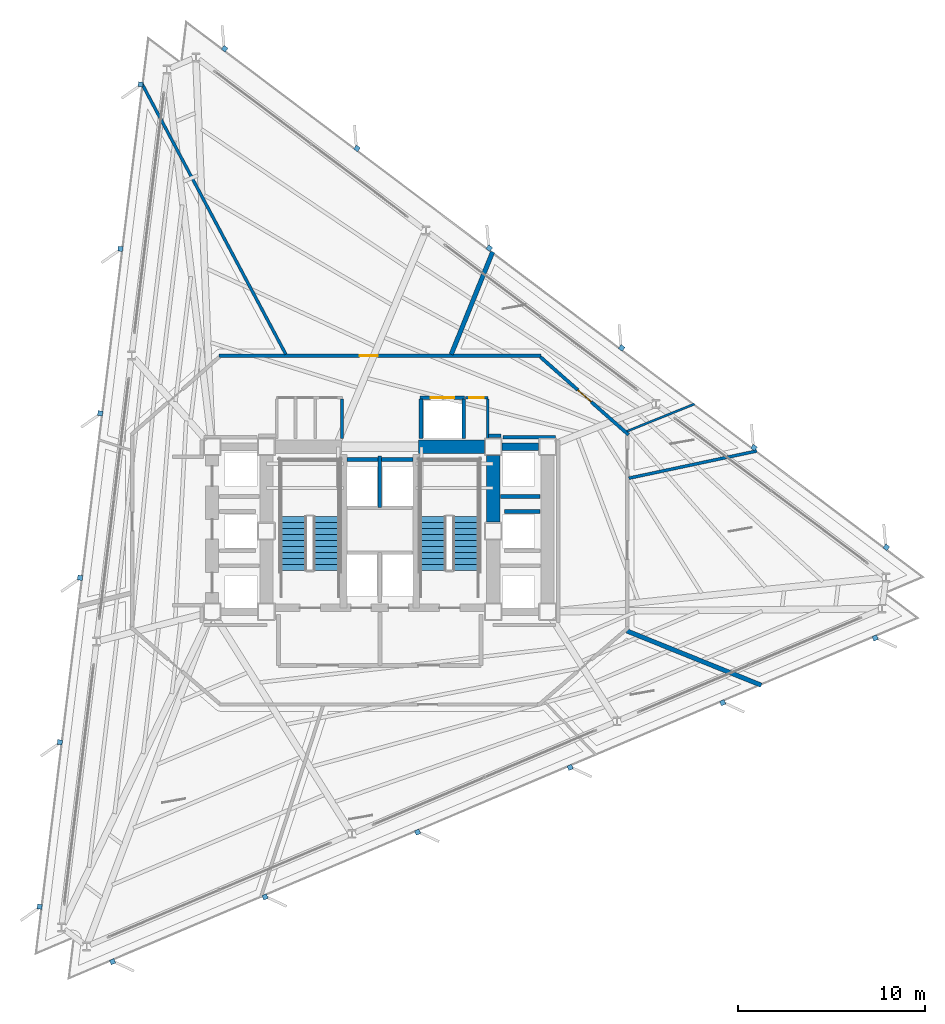
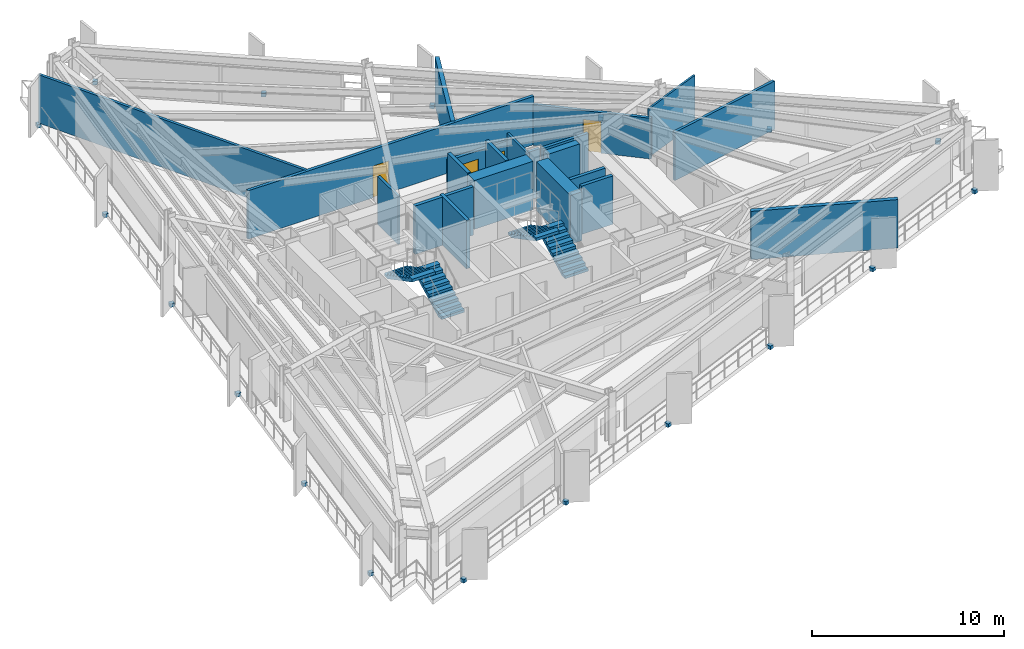
# One storey, part 8 of 13: 22 walls, 18 discrete accessories, 4 doors, 4 stair flights, 4 openings, 2 elements without a shape of their own.
"""IFC4 building model written with IfcOpenShell, lengths in metres."""

from ifc_helpers import new_model, si_unit, direction, frame, frame_2d, origin, origin_2d, place, context, subcontext, project, spatial, polyline, rectangle, outline, extrude, material, layer, layer_set, type_object, element, fill, aggregate, save


model = new_model("IFC4")

# Units and contexts
model_context = context("Model", 3, precision=1e-05, world=origin(), true_north=direction((0.0, 1.0)))
body_context = subcontext(model_context, "Body", "Model", "MODEL_VIEW")
ifc_project = project(units=[si_unit("LENGTHUNIT", "METRE"), si_unit("AREAUNIT", "SQUARE_METRE"), si_unit("VOLUMEUNIT", "CUBIC_METRE"), si_unit("PLANEANGLEUNIT", "RADIAN"), si_unit("MASSUNIT", "GRAM", prefix="KILO")], contexts=[model_context])

# Site, building, storey
site_placement = place(None, origin())
site = spatial("IfcSite", under=ifc_project, at=site_placement, CompositionType="ELEMENT")
building_placement = place(site_placement, origin())
building = spatial("IfcBuilding", under=site, at=building_placement, Name="Rocaltana Carrier Exchange", CompositionType="ELEMENT")
storey_placement = place(building_placement, frame((0.0, 0.0, 52.9599609375)))
storey = spatial("IfcBuildingStorey", under=building, at=storey_placement, Name="L16", CompositionType="ELEMENT", Elevation=52.9599609375)

# Walls
ifc_material_1 = material(Name="Double Acoustic Gypsum Partition", Category="gypsum")
ifc_layer_1 = layer(ifc_material_1, 0.159912109375)
ifc_layer_set_1 = layer_set([ifc_layer_1], Name="Double Acoustic Gypsum Partition")
wall_type_1 = type_object("IfcWallType", Name="Acoustic Studio Partition 160 EI60", PredefinedType="PARTITIONING", material=ifc_layer_set_1)
wall_1_placement = place(storey_placement, frame((13.280029296875, 2.82275390625, 0.0), z_axis=(0.0, 0.0, 1.0), x_axis=(0.978150237712, 0.207899284425, 0.0)))
element("IfcWall", 1, at=wall_1_placement, inside=storey, type_object=wall_type_1, Name="L16 Suite Divider Wall D5", PredefinedType="PARTITIONING", context=body_context, shape_type="SweptSolid", body=[
    extrude(rectangle(XDim=6.98828125, YDim=0.159912109375, at=frame_2d((3.494140625, 0.0))), origin(), (0.0, 0.0, 1.0), 3.072998046875),
])
wall_2_placement = place(storey_placement, frame((-5.013916015625, 9.429931640625, 0.0), z_axis=(0.0, 0.0, 1.0), x_axis=(-0.469473054772, 0.882946799554, 0.0)))
element("IfcWall", 2, at=wall_2_placement, inside=storey, type_object=wall_type_1, Name="L16 Suite Divider Wall D8", PredefinedType="PARTITIONING", context=body_context, shape_type="SweptSolid", body=[
    extrude(rectangle(XDim=16.37939453125, YDim=0.159912109375, at=frame_2d((8.189697265625, 0.0))), origin(), (0.0, 0.0, 1.0), 3.072998046875),
])
ifc_material_2 = material(Name="Concrete C50/60", Category="concrete")
ifc_layer_2 = layer(ifc_material_2, 0.39990234375)
ifc_layer_set_2 = layer_set([ifc_layer_2], Name="Concrete C50/60")
wall_type_2 = type_object("IfcWallType", Name="Core Internal Shear Wall 400", PredefinedType="SHEAR", material=ifc_layer_set_2)
wall_3_placement = place(storey_placement, frame((6.52490234375, 4.5, 0.0), z_axis=(0.0, 0.0, 1.0), x_axis=(1.0, 0.0, 0.0)))
element("IfcWall", 3, at=wall_3_placement, inside=storey, type_object=wall_type_2, Name="L16 Core Shear Wall CW-EWN", PredefinedType="SHEAR", context=body_context, shape_type="SweptSolid", body=[
    extrude(rectangle(XDim=1.9501953125, YDim=0.39990234375, at=frame_2d((0.97509765625, 0.0))), origin(), (0.0, 0.0, 1.0), 3.09814453125),
])
ifc_material_3 = material(Name="Concrete C60/75", Category="concrete")
ifc_layer_3 = layer(ifc_material_3, 0.699951171875)
ifc_layer_set_3 = layer_set([ifc_layer_3], Name="Concrete C60/75")
wall_type_3 = type_object("IfcWallType", Name="Core Shear Wall 700", PredefinedType="SHEAR", material=ifc_layer_set_3)
wall_4_placement = place(storey_placement, frame((6.050048828125, 0.47509765625, 0.0), z_axis=(0.0, 0.0, 1.0), x_axis=(0.0, 1.0, 0.0)))
element("IfcWall", 4, at=wall_4_placement, inside=storey, type_object=wall_type_3, Name="L16 Core Shear Wall CW-EN", PredefinedType="SHEAR", context=body_context, shape_type="SweptSolid", body=[
    extrude(rectangle(XDim=3.5498046875, YDim=0.699951171875, at=frame_2d((1.77490234375, 0.0))), origin(), (0.0, 0.0, 1.0), 3.09814453125),
])
wall_5_placement = place(storey_placement, frame((2.050048828125, 4.5, 0.0), z_axis=(0.0, 0.0, 1.0), x_axis=(1.0, 0.0, 0.0)))
element("IfcWall", 5, at=wall_5_placement, inside=storey, type_object=wall_type_3, Name="L16 Core Shear Wall CW-N2", PredefinedType="SHEAR", context=body_context, shape_type="SweptSolid", body=[
    extrude(rectangle(XDim=3.52490234375, YDim=0.699951171875, at=frame_2d((1.762451171875, 0.0))), origin(), (0.0, 0.0, 1.0), 3.09814453125),
])

# Wall, opening, door
ifc_material_4 = material(Name="Gypsum & Steel Stud Partition", Category="steel")
ifc_layer_4 = layer(ifc_material_4, 0.179931640625)
ifc_layer_set_4 = layer_set([ifc_layer_4], Name="Gypsum & Steel Stud Partition")
wall_type_4 = type_object("IfcWallType", Name="Corridor Fire Partition 180 EI60", PredefinedType="PARTITIONING", material=ifc_layer_set_4)
wall_6_placement = place(storey_placement, frame((-8.590087890625, 9.35009765625, 0.0), z_axis=(0.0, 0.0, 1.0), x_axis=(1.0, 0.0, 0.0)))
wall_6 = element("IfcWall", 6, at=wall_6_placement, inside=storey, type_object=wall_type_4, Name="L16 Corridor Partition 1", PredefinedType="PARTITIONING", context=body_context, shape_type="SweptSolid", body=[
    extrude(rectangle(XDim=17.18017578125, YDim=0.179931640625, at=frame_2d((8.590087890625, 0.0))), origin(), (0.0, 0.0, 1.0), 3.072998046875),
])
opening_1_placement = place(wall_6_placement, frame((7.505859375, 0.0, 0.0)))
opening_1 = element("IfcOpeningElement", 7, at=opening_1_placement, cuts=wall_6, Name="Opening D-RM098", PredefinedType="OPENING", context=body_context, shape_type="SweptSolid", body=[
    extrude(rectangle(XDim=0.9599609375, YDim=2.02001953125, at=frame_2d((0.47998046875, 1.010009765625))), frame((0.0, 0.099853515625, 0.0), z_axis=(0.0, -1.0, 0.0), x_axis=(1.0, 0.0, 0.0)), (0.0, 0.0, 1.0), 0.199951171875),
])
ifc_material_5 = material(Name="Engineered Hardwood Timber", Category="wood")
door_type_1 = type_object("IfcDoorType", Name="Workspace Single Door 960x2020", OperationType="NOTDEFINED", PredefinedType="DOOR", material=ifc_material_5)
door_1_placement = place(opening_1_placement, origin())
door_1 = element("IfcDoor", 8, at=door_1_placement, inside=storey, type_object=door_type_1, Name="L16 Quiet Focus Lounge Entrance Door", OperationType="SINGLE_SWING_LEFT", OverallHeight=2.02001953125, OverallWidth=0.9599609375, PredefinedType="DOOR", context=body_context, shape_type="SweptSolid", body=[
    extrude(rectangle(XDim=0.9599609375, YDim=2.02001953125, at=frame_2d((0.47998046875, 1.010009765625))), frame((0.0, 0.02490234375, 0.0), z_axis=(0.0, -1.0, 0.0), x_axis=(1.0, 0.0, 0.0)), (0.0, 0.0, 1.0), 0.050048828125),
])
fill(opening_1, door_1)

wall_7_placement = place(storey_placement, frame((8.5673828125, 9.290283203125, 0.0), z_axis=(0.0, 0.0, 1.0), x_axis=(0.749626463267, -0.66186113768, 0.0)))
wall_7 = element("IfcWall", 9, at=wall_7_placement, inside=storey, type_object=wall_type_4, Name="L16 Corridor Partition 2", PredefinedType="PARTITIONING", context=body_context, shape_type="SweptSolid", body=[
    extrude(rectangle(XDim=6.27001953125, YDim=0.179931640625, at=frame_2d((3.135009765625, 0.0))), origin(), (0.0, 0.0, 1.0), 2.587158203125),
])
opening_2_placement = place(wall_7_placement, frame((2.655029296875, 0.0, 0.0)))
opening_2 = element("IfcOpeningElement", 10, at=opening_2_placement, cuts=wall_7, Name="Opening D-RM098", PredefinedType="OPENING", context=body_context, shape_type="SweptSolid", body=[
    extrude(rectangle(XDim=0.9599609375, YDim=2.02001953125, at=frame_2d((0.47998046875, 1.010009765625))), frame((0.0, 0.099853515625, 0.0), z_axis=(0.0, -1.0, 0.0), x_axis=(1.0, 0.0, 0.0)), (0.0, 0.0, 1.0), 0.199951171875),
])
door_2_placement = place(opening_2_placement, origin())
door_2 = element("IfcDoor", 11, at=door_2_placement, inside=storey, type_object=door_type_1, Name="L16 Network Engineering Studio Entrance Door", OperationType="SINGLE_SWING_RIGHT", OverallHeight=2.02001953125, OverallWidth=0.9599609375, PredefinedType="DOOR", context=body_context, shape_type="SweptSolid", body=[
    extrude(rectangle(XDim=0.9599609375, YDim=2.02001953125, at=frame_2d((0.47998046875, 1.010009765625))), frame((0.0, 0.02490234375, 0.0), z_axis=(0.0, -1.0, 0.0), x_axis=(1.0, 0.0, 0.0)), (0.0, 0.0, 1.0), 0.050048828125),
])
fill(opening_2, door_2)

# Walls
wall_8_placement = place(storey_placement, frame((9.3701171875, 5.010009765625, 0.0), z_axis=(0.0, 0.0, 1.0), x_axis=(-1.0, 0.0, 0.0)))
element("IfcWall", 12, at=wall_8_placement, inside=storey, type_object=wall_type_4, Name="L16 Corridor Partition 18", PredefinedType="PARTITIONING", context=body_context, shape_type="SweptSolid", body=[
    extrude(rectangle(XDim=2.807861328125, YDim=0.179931640625, at=frame_2d((1.40380859375, 0.0))), origin(), (0.0, 0.0, 1.0), 3.072998046875),
])
wall_9_placement = place(storey_placement, frame((6.469970703125, 5.080078125, 0.0), z_axis=(0.0, 0.0, 1.0), x_axis=(-1.0, 0.0, 0.0)))
element("IfcWall", 13, at=wall_9_placement, inside=storey, type_object=wall_type_4, Name="L16 Corridor Partition 19", PredefinedType="PARTITIONING", context=body_context, shape_type="SweptSolid", body=[
    extrude(rectangle(XDim=0.679931640625, YDim=0.179931640625, at=frame_2d((0.33984375, 0.0))), origin(), (0.0, 0.0, 1.0), 3.072998046875),
])
ifc_material_6 = material(Name="Aluminium 6063-T6 & Acoustic Glass", Category="aluminium")
ifc_layer_5 = layer(ifc_material_6, 0.114990234375)
ifc_layer_set_5 = layer_set([ifc_layer_5], Name="Aluminium 6063-T6 & Acoustic Glass")
wall_type_5 = type_object("IfcWallType", Name="Demountable Glazed Lab Partition 115", PredefinedType="MOVABLE", material=ifc_layer_set_5)
wall_10_placement = place(storey_placement, frame((13.179443359375, 5.324951171875, 0.0), z_axis=(0.0, 0.0, 1.0), x_axis=(0.927199532139, 0.374567787725, 0.0)))
element("IfcWall", 14, at=wall_10_placement, inside=storey, type_object=wall_type_5, Name="L16 Suite Divider Wall D6", PredefinedType="MOVABLE", context=body_context, shape_type="SweptSolid", body=[
    extrude(rectangle(XDim=3.892578125, YDim=0.114990234375, at=frame_2d((1.9462890625, 0.0))), origin(), (0.0, 0.0, 1.0), 3.072998046875),
])
ifc_material_7 = material(Name="Acoustic Calcium Silicate Partition", Category="gypsum")
ifc_layer_6 = layer(ifc_material_7, 0.239990234375)
ifc_layer_set_6 = layer_set([ifc_layer_6], Name="Acoustic Calcium Silicate Partition")
wall_type_6 = type_object("IfcWallType", Name="Heavy Lab Partition 240 EI90", PredefinedType="PARTITIONING", material=ifc_layer_set_6)
wall_11_placement = place(storey_placement, frame((13.17822265625, -5.324462890625, 0.0), z_axis=(0.0, 0.0, 1.0), x_axis=(0.927191467136, -0.374587751094, 0.0)))
element("IfcWall", 15, at=wall_11_placement, inside=storey, type_object=wall_type_6, Name="L16 Suite Divider Wall D4", PredefinedType="PARTITIONING", context=body_context, shape_type="SweptSolid", body=[
    extrude(rectangle(XDim=7.736328125, YDim=0.239990234375, at=frame_2d((3.8681640625, 0.0))), origin(), (0.0, 0.0, 1.0), 3.072998046875),
])
wall_12_placement = place(storey_placement, frame((3.81005859375, 9.429931640625, 0.0), z_axis=(0.0, 0.0, 1.0), x_axis=(0.374593091461, 0.927189309596, 0.0)))
element("IfcWall", 16, at=wall_12_placement, inside=storey, type_object=wall_type_6, Name="L16 Suite Divider Wall D7", PredefinedType="PARTITIONING", context=body_context, shape_type="SweptSolid", body=[
    extrude(rectangle(XDim=5.897705078125, YDim=0.239990234375, at=frame_2d((2.94873046875, 0.0))), origin(), (0.0, 0.0, 1.0), 3.072998046875),
])
ifc_material_8 = material(Name="Reinforced Concrete Block C35/45", Category="concrete")
ifc_layer_7 = layer(ifc_material_8, 0.199951171875)
ifc_layer_set_7 = layer_set([ifc_layer_7], Name="Reinforced Concrete Block C35/45")
wall_type_7 = type_object("IfcWallType", Name="Lift Hoistway Enclosure Wall 200 EI120", PredefinedType="PARTITIONING", material=ifc_layer_set_7)
wall_13_placement = place(storey_placement, frame((0.0, 1.25, 0.0), z_axis=(0.0, 0.0, 1.0), x_axis=(0.0, 1.0, 0.0)))
element("IfcWall", 17, at=wall_13_placement, inside=storey, type_object=wall_type_7, Name="L16 High-Rise Shaft Divider", PredefinedType="PARTITIONING", context=body_context, shape_type="SweptSolid", body=[
    extrude(rectangle(XDim=2.77001953125, YDim=0.199951171875, at=frame_2d((1.385009765625, 0.0))), origin(), (0.0, 0.0, 1.0), 3.072998046875),
])
wall_14_placement = place(storey_placement, frame((-1.760009765625, 3.820068359375, 0.0), z_axis=(0.0, 0.0, 1.0), x_axis=(1.0, 0.0, 0.0)))
element("IfcWall", 18, at=wall_14_placement, inside=storey, type_object=wall_type_7, Name="L16 High-Rise Lift Front Wall", PredefinedType="PARTITIONING", context=body_context, shape_type="SweptSolid", body=[
    extrude(rectangle(XDim=3.52001953125, YDim=0.199951171875, at=frame_2d((1.760009765625, 0.0))), origin(), (0.0, 0.0, 1.0), 3.072998046875),
])
for number, where, z_axis, x_axis, name in (
    (19, (2.199951171875, 4.949951171875, 0.0), (0.0, 0.0, 1.0), (0.0, 1.0, 0.0), "L16 Goods Lift West Wall"),
    (20, (4.47998046875, 4.949951171875, 0.0), (0.0, 0.0, 1.0), (0.0, 1.0, 0.0), "L16 Goods Lift East Wall"),
):
    element("IfcWall", number, at=place(storey_placement, frame(where, z_axis=z_axis, x_axis=x_axis)), inside=storey, type_object=wall_type_7, Name=name, PredefinedType="PARTITIONING", context=body_context, shape_type="SweptSolid", body=[
        extrude(rectangle(XDim=2.10009765625, YDim=0.199951171875, at=frame_2d((1.050048828125, 0.0))), origin(), (0.0, 0.0, 1.0), 3.072998046875),
    ])

# Wall, opening, door
wall_15_placement = place(storey_placement, frame((2.14990234375, 7.1201171875, 0.0), z_axis=(0.0, 0.0, 1.0), x_axis=(1.0, 0.0, 0.0)))
wall_15 = element("IfcWall", 21, at=wall_15_placement, inside=storey, type_object=wall_type_7, Name="L16 Goods Lift Front Wall", PredefinedType="PARTITIONING", context=body_context, shape_type="SweptSolid", body=[
    extrude(rectangle(XDim=2.380126953125, YDim=0.199951171875, at=frame_2d((1.18994140625, 0.0))), origin(), (0.0, 0.0, 1.0), 2.587158203125),
])
opening_3_placement = place(wall_15_placement, frame((0.56005859375, 0.0, 0.0)))
opening_3 = element("IfcOpeningElement", 22, at=opening_3_placement, cuts=wall_15, Name="Opening LD-130", PredefinedType="OPENING", context=body_context, shape_type="SweptSolid", body=[
    extrude(rectangle(XDim=1.260009765625, YDim=2.06005859375, at=frame_2d((0.6298828125, 1.030029296875))), frame((0.0, 0.10986328125, 0.0), z_axis=(0.0, -1.0, 0.0), x_axis=(1.0, 0.0, 0.0)), (0.0, 0.0, 1.0), 0.219970703125),
])
ifc_material_9 = material(Name="Brushed Stainless Sliding Door Leaf", Category="steel")
door_type_2 = type_object("IfcDoorType", Name="Goods Lift Landing Sliding Door 1260x2060", OperationType="NOTDEFINED", PredefinedType="DOOR", material=ifc_material_9)
door_3_placement = place(opening_3_placement, origin())
door_3 = element("IfcDoor", 23, at=door_3_placement, inside=storey, type_object=door_type_2, Name="L16 Goods Lift GL-1 Landing Door", OperationType="SLIDING_TO_LEFT", OverallHeight=2.06005859375, OverallWidth=1.260009765625, PredefinedType="DOOR", context=body_context, shape_type="SweptSolid", body=[
    extrude(rectangle(XDim=1.260009765625, YDim=2.06005859375, at=frame_2d((0.6298828125, 1.030029296875))), frame((0.0, 0.02490234375, 0.0), z_axis=(0.0, -1.0, 0.0), x_axis=(1.0, 0.0, 0.0)), (0.0, 0.0, 1.0), 0.050048828125),
])
fill(opening_3, door_3)

# Walls
wall_16_placement = place(storey_placement, frame((6.449951171875, 1.85009765625, 0.0), z_axis=(0.0, 0.0, 1.0), x_axis=(1.0, 0.0, 0.0)))
element("IfcWall", 24, at=wall_16_placement, inside=storey, type_object=wall_type_7, Name="L16 Mid-Rise Shaft Divider 2", PredefinedType="PARTITIONING", context=body_context, shape_type="SweptSolid", body=[
    extrude(rectangle(XDim=2.10009765625, YDim=0.199951171875, at=frame_2d((1.050048828125, 0.0))), origin(), (0.0, 0.0, 1.0), 3.072998046875),
])
wall_17_placement = place(storey_placement, frame((6.639892578125, 1.050048828125, 0.0), z_axis=(0.0, 0.0, 1.0), x_axis=(1.0, 0.0, 0.0)))
element("IfcWall", 25, at=wall_17_placement, inside=storey, type_object=wall_type_7, Name="L16 Mid-Rise Center Shaft Wall North", PredefinedType="PARTITIONING", context=body_context, shape_type="SweptSolid", body=[
    extrude(rectangle(XDim=1.91015625, YDim=0.199951171875, at=frame_2d((0.955078125, 0.0))), origin(), (0.0, 0.0, 1.0), 3.072998046875),
])
ifc_material_10 = material(Name="Moisture-Resistant Masonry C30/37", Category="masonry")
ifc_layer_8 = layer(ifc_material_10, 0.139892578125)
ifc_layer_set_8 = layer_set([ifc_layer_8], Name="Moisture-Resistant Masonry C30/37")
wall_type_8 = type_object("IfcWallType", Name="Wet-Area Sanitary Partition 140", PredefinedType="PARTITIONING", material=ifc_layer_set_8)
for number, where, z_axis, x_axis, name in (
    (26, (-2.02001953125, 4.949951171875, 0.0), (0.0, 0.0, 1.0), (0.0, 1.0, 0.0), "L16 Sanitary East Wall"),
    (27, (5.760009765625, 4.949951171875, 0.0), (0.0, 0.0, 1.0), (0.0, 1.0, 0.0), "L16 Riser East Wall"),
):
    element("IfcWall", number, at=place(storey_placement, frame(where, z_axis=z_axis, x_axis=x_axis)), inside=storey, type_object=wall_type_8, Name=name, PredefinedType="PARTITIONING", context=body_context, shape_type="SweptSolid", body=[
        extrude(rectangle(XDim=2.10009765625, YDim=0.139892578125, at=frame_2d((1.050048828125, 0.0))), origin(), (0.0, 0.0, 1.0), 3.072998046875),
    ])

# Wall, opening, door
wall_18_placement = place(storey_placement, frame((4.56005859375, 7.1201171875, 0.0), z_axis=(0.0, 0.0, 1.0), x_axis=(1.0, 0.0, 0.0)))
wall_18 = element("IfcWall", 28, at=wall_18_placement, inside=storey, type_object=wall_type_8, Name="L16 Riser North Wall", PredefinedType="PARTITIONING", context=body_context, shape_type="SweptSolid", body=[
    extrude(rectangle(XDim=1.199951171875, YDim=0.139892578125, at=frame_2d((0.60009765625, 0.0))), origin(), (0.0, 0.0, 1.0), 2.587158203125),
])
opening_4_placement = place(wall_18_placement, frame((0.2099609375, 0.0, 0.0)))
opening_4 = element("IfcOpeningElement", 29, at=opening_4_placement, cuts=wall_18, Name="Opening D-RS082", PredefinedType="OPENING", context=body_context, shape_type="SweptSolid", body=[
    extrude(rectangle(XDim=0.780029296875, YDim=2.010009765625, at=frame_2d((0.39013671875, 1.0048828125))), frame((0.0, 0.079833984375, 0.0), z_axis=(0.0, -1.0, 0.0), x_axis=(1.0, 0.0, 0.0)), (0.0, 0.0, 1.0), 0.159912109375),
])
ifc_material_11 = material(Name="Hollow Metal Access Door Leaf", Category="steel")
door_type_3 = type_object("IfcDoorType", Name="Riser & Service Closet Door 780x2010", OperationType="NOTDEFINED", PredefinedType="DOOR", material=ifc_material_11)
door_4_placement = place(opening_4_placement, origin())
door_4 = element("IfcDoor", 30, at=door_4_placement, inside=storey, type_object=door_type_3, Name="L16 Signal Riser Closet Door", OperationType="SINGLE_SWING_RIGHT", OverallHeight=2.010009765625, OverallWidth=0.780029296875, PredefinedType="DOOR", context=body_context, shape_type="SweptSolid", body=[
    extrude(rectangle(XDim=0.780029296875, YDim=2.010009765625, at=frame_2d((0.39013671875, 1.0048828125))), frame((0.0, 0.02490234375, 0.0), z_axis=(0.0, -1.0, 0.0), x_axis=(1.0, 0.0, 0.0)), (0.0, 0.0, 1.0), 0.050048828125),
])
fill(opening_4, door_4)

# Stair, stair flights
ifc_material_12 = material(Name="Precast concrete C45/55", Category="concrete")
stair_type = type_object("IfcStairType", Name="Standard Dog-Leg Stair 160", PredefinedType="HALF_TURN_STAIR", material=ifc_material_12)
stair_1_placement = place(storey_placement, origin())
stair_1 = element("IfcStair", 31, at=stair_1_placement, inside=storey, type_object=stair_type, Name="L16 Core West Exit Stair ST-1", PredefinedType="HALF_TURN_STAIR")
ifc_material_13 = material(Name="Precast concrete C45/55", Category="concrete")
stair_flight_type = type_object("IfcStairFlightType", Name="Precast Stair Flight 160", PredefinedType="STRAIGHT", material=ifc_material_13)
stair_flight_1_placement = place(storey_placement, frame((-2.840087890625, -2.10009765625, 0.0), z_axis=(0.0, 0.0, 1.0), x_axis=(0.0, 1.0, 0.0)))
stair_flight_1 = element("IfcStairFlight", 32, at=stair_flight_1_placement, type_object=stair_flight_type, Name="ST-1 flight 1", NumberOfRisers=10, NumberOfTreads=9, PredefinedType="STRAIGHT", RiserHeight=0.168, TreadLength=0.32, context=body_context, shape_type="SweptSolid", body=[
    extrude(outline(polyline([(0.0, 0.0), (0.0, 0.16796875), (0.320068359375, 0.16796875), (0.320068359375, 0.3359375), (0.639892578125, 0.3359375), (0.639892578125, 0.50390625), (0.9599609375, 0.50390625), (0.9599609375, 0.672119140625), (1.280029296875, 0.672119140625), (1.280029296875, 0.840087890625), (1.60009765625, 0.840087890625), (1.60009765625, 1.008056640625), (1.919921875, 1.008056640625), (1.919921875, 1.176025390625), (2.239990234375, 1.176025390625), (2.239990234375, 1.343994140625), (2.56005859375, 1.343994140625), (2.56005859375, 1.511962890625), (2.8798828125, 1.511962890625), (2.8798828125, 1.679931640625), (2.8798828125, 1.331298828125), (0.343994140625, 0.0), (0.0, 0.0)])), frame((0.0, 0.699951171875, 0.0), z_axis=(0.0, -1.0, 0.0), x_axis=(1.0, 0.0, 0.0)), (0.0, 0.0, 1.0), 1.39990234375),
])
stair_flight_2_placement = place(storey_placement, frame((-4.60009765625, 0.780029296875, 1.679931640625), z_axis=(0.0, 0.0, 1.0), x_axis=(0.0, -1.0, 0.0)))
stair_flight_2 = element("IfcStairFlight", 33, at=stair_flight_2_placement, type_object=stair_flight_type, Name="ST-1 flight 2", NumberOfRisers=10, NumberOfTreads=9, PredefinedType="STRAIGHT", RiserHeight=0.168, TreadLength=0.32, context=body_context, shape_type="SweptSolid", body=[
    extrude(outline(polyline([(0.0, 0.0), (0.0, 0.16796875), (0.320068359375, 0.16796875), (0.320068359375, 0.3359375), (0.639892578125, 0.3359375), (0.639892578125, 0.50390625), (0.9599609375, 0.50390625), (0.9599609375, 0.672119140625), (1.280029296875, 0.672119140625), (1.280029296875, 0.840087890625), (1.60009765625, 0.840087890625), (1.60009765625, 1.008056640625), (1.919921875, 1.008056640625), (1.919921875, 1.176025390625), (2.239990234375, 1.176025390625), (2.239990234375, 1.343994140625), (2.56005859375, 1.343994140625), (2.56005859375, 1.511962890625), (2.8798828125, 1.511962890625), (2.8798828125, 1.679931640625), (2.8798828125, 1.331298828125), (0.343994140625, 0.0), (0.0, 0.0)])), frame((0.0, 0.699951171875, 0.0), z_axis=(0.0, -1.0, 0.0), x_axis=(1.0, 0.0, 0.0)), (0.0, 0.0, 1.0), 1.39990234375),
])
aggregate(stair_1, [stair_flight_1, stair_flight_2])

stair_2_placement = place(storey_placement, origin())
stair_2 = element("IfcStair", 34, at=stair_2_placement, inside=storey, type_object=stair_type, Name="L16 Core East Exit Stair ST-2", PredefinedType="HALF_TURN_STAIR")
stair_flight_3_placement = place(storey_placement, frame((4.60009765625, -2.10009765625, 0.0), z_axis=(0.0, 0.0, 1.0), x_axis=(0.0, 1.0, 0.0)))
stair_flight_3 = element("IfcStairFlight", 35, at=stair_flight_3_placement, type_object=stair_flight_type, Name="ST-2 flight 1", NumberOfRisers=10, NumberOfTreads=9, PredefinedType="STRAIGHT", RiserHeight=0.168, TreadLength=0.32, context=body_context, shape_type="SweptSolid", body=[
    extrude(outline(polyline([(0.0, 0.0), (0.0, 0.16796875), (0.320068359375, 0.16796875), (0.320068359375, 0.3359375), (0.639892578125, 0.3359375), (0.639892578125, 0.50390625), (0.9599609375, 0.50390625), (0.9599609375, 0.672119140625), (1.280029296875, 0.672119140625), (1.280029296875, 0.840087890625), (1.60009765625, 0.840087890625), (1.60009765625, 1.008056640625), (1.919921875, 1.008056640625), (1.919921875, 1.176025390625), (2.239990234375, 1.176025390625), (2.239990234375, 1.343994140625), (2.56005859375, 1.343994140625), (2.56005859375, 1.511962890625), (2.8798828125, 1.511962890625), (2.8798828125, 1.679931640625), (2.8798828125, 1.331298828125), (0.343994140625, 0.0), (0.0, 0.0)])), frame((0.0, 0.699951171875, 0.0), z_axis=(0.0, -1.0, 0.0), x_axis=(1.0, 0.0, 0.0)), (0.0, 0.0, 1.0), 1.39990234375),
])
stair_flight_4_placement = place(storey_placement, frame((2.840087890625, 0.780029296875, 1.679931640625), z_axis=(0.0, 0.0, 1.0), x_axis=(0.0, -1.0, 0.0)))
stair_flight_4 = element("IfcStairFlight", 36, at=stair_flight_4_placement, type_object=stair_flight_type, Name="ST-2 flight 2", NumberOfRisers=10, NumberOfTreads=9, PredefinedType="STRAIGHT", RiserHeight=0.168, TreadLength=0.32, context=body_context, shape_type="SweptSolid", body=[
    extrude(outline(polyline([(0.0, 0.0), (0.0, 0.16796875), (0.320068359375, 0.16796875), (0.320068359375, 0.3359375), (0.639892578125, 0.3359375), (0.639892578125, 0.50390625), (0.9599609375, 0.50390625), (0.9599609375, 0.672119140625), (1.280029296875, 0.672119140625), (1.280029296875, 0.840087890625), (1.60009765625, 0.840087890625), (1.60009765625, 1.008056640625), (1.919921875, 1.008056640625), (1.919921875, 1.176025390625), (2.239990234375, 1.176025390625), (2.239990234375, 1.343994140625), (2.56005859375, 1.343994140625), (2.56005859375, 1.511962890625), (2.8798828125, 1.511962890625), (2.8798828125, 1.679931640625), (2.8798828125, 1.331298828125), (0.343994140625, 0.0), (0.0, 0.0)])), frame((0.0, 0.699951171875, 0.0), z_axis=(0.0, -1.0, 0.0), x_axis=(1.0, 0.0, 0.0)), (0.0, 0.0, 1.0), 1.39990234375),
])
aggregate(stair_2, [stair_flight_3, stair_flight_4])

# Discrete accessories
ifc_material_14 = material(Name="Brushed Architectural Stainless Metal", Category="steel")
ifc_layer_9 = layer(ifc_material_14, 0.219970703125)
ifc_layer_set_9 = layer_set([ifc_layer_9], Name="Brushed Architectural Stainless Metal")
discrete_accessory_type = type_object("IfcDiscreteAccessoryType", Name="Stainless Fin Slab-Edge Bracket 260x260x220", PredefinedType="BRACKET", material=ifc_layer_set_9)
for number, where, z_axis, x_axis, name in (
    (37, (27.0205078125, -0.86474609375, -0.2099609375), (0.0, 0.0, 1.0), (-0.798635510047, 0.601815023152, 0.0), "L16 Sandstone Fin Edge Bracket F1-01"),
    (38, (19.960693359375, 4.455322265625, -0.2099609375), (0.0, 0.0, 1.0), (-0.798635510047, 0.601815023152, 0.0), "L16 Sandstone Fin Edge Bracket F1-02"),
    (39, (12.900634765625, 9.775390625, -0.2099609375), (0.0, 0.0, 1.0), (-0.798635510047, 0.601815023152, 0.0), "L16 Sandstone Fin Edge Bracket F1-03"),
    (40, (5.8408203125, 15.095458984375, -0.2099609375), (0.0, 0.0, 1.0), (-0.798635510047, 0.601815023152, 0.0), "L16 Sandstone Fin Edge Bracket F1-04"),
    (41, (-1.21923828125, 20.415283203125, -0.2099609375), (0.0, 0.0, 1.0), (-0.798635510047, 0.601815023152, 0.0), "L16 Sandstone Fin Edge Bracket F1-05"),
    (42, (-8.279296875, 25.7353515625, -0.2099609375), (0.0, 0.0, 1.0), (-0.798635510047, 0.601815023152, 0.0), "L16 Sandstone Fin Edge Bracket F1-06"),
    (43, (-12.76123046875, 23.8330078125, -0.2099609375), (0.0, 0.0, 1.0), (-0.121869343405, -0.992546151641, 0.0), "L16 Sandstone Fin Edge Bracket F2-01"),
    (44, (-13.838623046875, 15.058837890625, -0.2099609375), (0.0, 0.0, 1.0), (-0.121869343405, -0.992546151641, 0.0), "L16 Sandstone Fin Edge Bracket F2-02"),
    (45, (-14.916015625, 6.28466796875, -0.2099609375), (0.0, 0.0, 1.0), (-0.121869343405, -0.992546151641, 0.0), "L16 Sandstone Fin Edge Bracket F2-03"),
    (46, (-15.993408203125, -2.489501953125, -0.2099609375), (0.0, 0.0, 1.0), (-0.121869343405, -0.992546151641, 0.0), "L16 Sandstone Fin Edge Bracket F2-04"),
    (47, (-17.070556640625, -11.263671875, -0.2099609375), (0.0, 0.0, 1.0), (-0.121869343405, -0.992546151641, 0.0), "L16 Sandstone Fin Edge Bracket F2-05"),
    (48, (-18.14794921875, -20.03759765625, -0.2099609375), (0.0, 0.0, 1.0), (-0.121869343405, -0.992546151641, 0.0), "L16 Sandstone Fin Edge Bracket F2-06"),
    (49, (-14.25927734375, -22.968017578125, -0.2099609375), (0.0, 0.0, 1.0), (0.920504853452, 0.390731128489, 0.0), "L16 Sandstone Fin Edge Bracket F3-01"),
    (50, (-6.121826171875, -19.513916015625, -0.2099609375), (0.0, 0.0, 1.0), (0.920504853452, 0.390731128489, 0.0), "L16 Sandstone Fin Edge Bracket F3-02"),
    (51, (2.015380859375, -16.06005859375, -0.2099609375), (0.0, 0.0, 1.0), (0.920504853452, 0.390731128489, 0.0), "L16 Sandstone Fin Edge Bracket F3-03"),
    (52, (10.152587890625, -12.60595703125, -0.2099609375), (0.0, 0.0, 1.0), (0.920504853452, 0.390731128489, 0.0), "L16 Sandstone Fin Edge Bracket F3-04"),
    (53, (18.289794921875, -9.15185546875, -0.2099609375), (0.0, 0.0, 1.0), (0.920504853452, 0.390731128489, 0.0), "L16 Sandstone Fin Edge Bracket F3-05"),
    (54, (26.427001953125, -5.69775390625, -0.2099609375), (0.0, 0.0, 1.0), (0.920504853452, 0.390731128489, 0.0), "L16 Sandstone Fin Edge Bracket F3-06"),
):
    element("IfcDiscreteAccessory", number, at=place(storey_placement, frame(where, z_axis=z_axis, x_axis=x_axis)), inside=storey, type_object=discrete_accessory_type, Name=name, PredefinedType="BRACKET", context=body_context, shape_type="SweptSolid", body=[
        extrude(rectangle(XDim=0.260009765625, YDim=0.260009765625, at=origin_2d()), origin(), (0.0, 0.0, 1.0), 0.219970703125),
    ])

save(model, "model.ifc")
